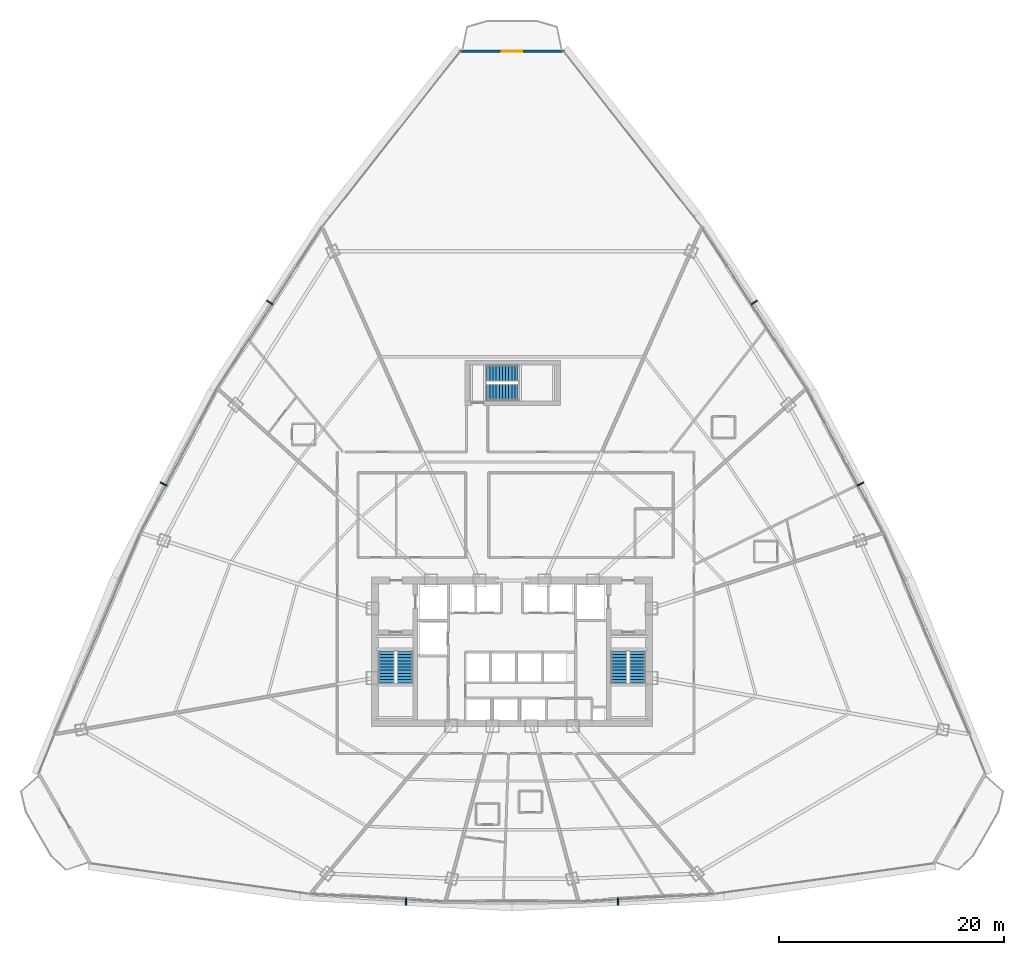
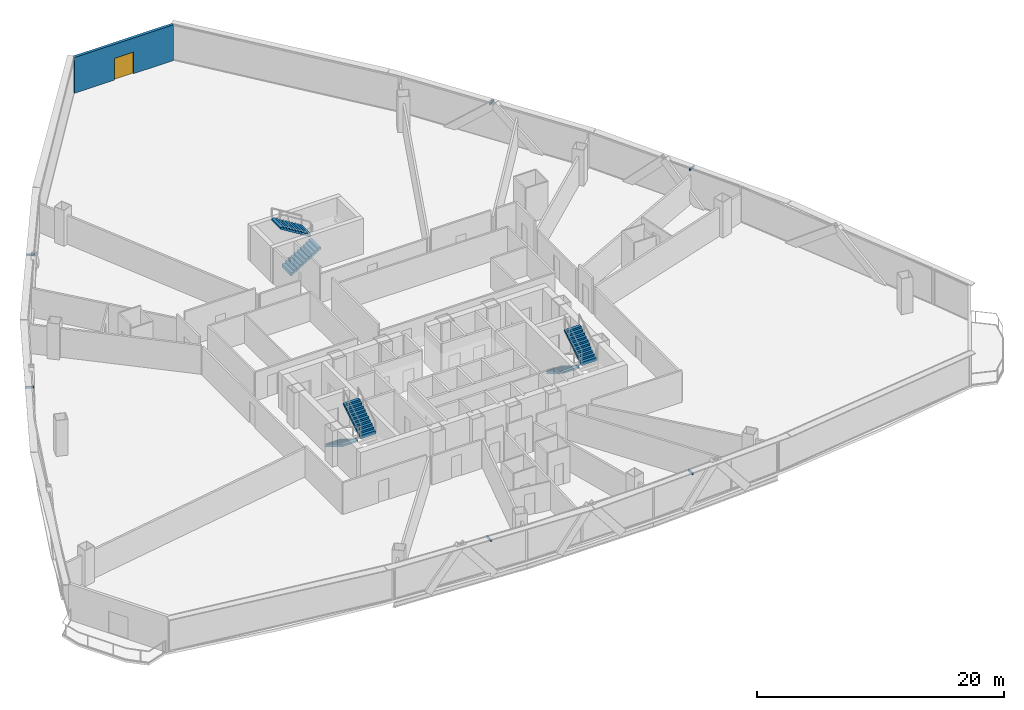
# One storey, part 33 of 37: 6 discrete accessories, 6 stair flights, 1 door, 1 wall, 1 opening, 3 elements without a shape of their own.
"""IFC4 building model written with IfcOpenShell, lengths in metres."""

import ifcopenshell
import ifcopenshell.guid

model = None  # the IFC model being written
_history = None  # IfcOwnerHistory: only IFC2X3 demands one
_inside = {}  # id of a spatial element -> (the spatial element, [elements in it])
_under = {}  # id of a project, library or spatial element -> (it, [spatial elements below it])
_declared = {}  # id of a project -> (the project, [libraries it declares])
_typed = {}  # id of a type object -> (the type object, [elements of that type])
_made_of = {}  # id of a material, layer set ... -> (it, [elements and type objects made of it])


def new_model(schema):
    """Start an empty IFC model of exactly this schema.

    Asked for "IFC4X3", IfcOpenShell would pick the latest addendum, in which some entities
    have other attributes; the version numbers below select the first issue.
    IFC2X3 requires an IfcOwnerHistory on every rooted entity: one is made here for all.
    """
    global model, _history
    if schema == "IFC4X3":
        model = ifcopenshell.file(schema_version=(4, 3, 0, 0))
    else:
        model = ifcopenshell.file(schema=schema)
    _inside.clear()
    _under.clear()
    _declared.clear()
    _typed.clear()
    _made_of.clear()
    _history = None
    if model.schema == "IFC2X3":
        org = make("IfcOrganization", Name="unknown")
        user = make(
            "IfcPersonAndOrganization",
            ThePerson=make("IfcPerson", FamilyName="unknown"),
            TheOrganization=org,
        )
        app = make(
            "IfcApplication",
            ApplicationDeveloper=org,
            Version="unknown",
            ApplicationFullName="unknown",
            ApplicationIdentifier="unknown",
        )
        _history = make(
            "IfcOwnerHistory",
            OwningUser=user,
            OwningApplication=app,
            ChangeAction="ADDED",
            CreationDate=0,
        )
    return model


def make(cls, **values):
    """One entity of the class cls with the attributes given. An attribute that is None is left unset."""
    return model.create_entity(
        cls, **{name: value for name, value in values.items() if value is not None}
    )


def rooted(cls, **values):
    """An entity with a GlobalId (a new one), such as an element, a storey or a relation."""
    return make(cls, GlobalId=ifcopenshell.guid.new(), OwnerHistory=_history, **values)


def si_unit(unit_type, name, prefix=None):
    """IfcSIUnit, for example si_unit("LENGTHUNIT", "METRE", prefix="MILLI")."""
    return make("IfcSIUnit", UnitType=unit_type, Prefix=prefix, Name=name)


def assignment(units):
    """IfcUnitAssignment: the units of a project."""
    return None if units is None else make("IfcUnitAssignment", Units=units)


def point(xyz):
    """IfcCartesianPoint."""
    return None if xyz is None else make("IfcCartesianPoint", Coordinates=xyz)


def direction(xyz):
    """IfcDirection."""
    return None if xyz is None else make("IfcDirection", DirectionRatios=xyz)


def frame(location, z_axis=None, x_axis=None):
    """IfcAxis2Placement3D, a coordinate frame: its origin and axes. An axis left out is left unset."""
    return make(
        "IfcAxis2Placement3D",
        Location=point(location),
        Axis=direction(z_axis),
        RefDirection=direction(x_axis),
    )


def frame_2d(location, x_axis=None):
    """IfcAxis2Placement2D, a coordinate frame in the plane: its origin and x axis."""
    return make(
        "IfcAxis2Placement2D", Location=point(location), RefDirection=direction(x_axis)
    )


def origin():
    """The frame at (0, 0, 0) with its axes left unset."""
    return frame((0.0, 0.0, 0.0))


def origin_with_axes():
    """The frame at (0, 0, 0) with the z axis (0, 0, 1) and the x axis (1, 0, 0) written out."""
    return frame((0.0, 0.0, 0.0), z_axis=(0.0, 0.0, 1.0), x_axis=(1.0, 0.0, 0.0))


def origin_2d():
    """The frame at (0, 0) in the plane with its x axis left unset."""
    return frame_2d((0.0, 0.0))


def place(relative_to, where):
    """IfcLocalPlacement: puts the frame where relative to a parent placement (None: the world)."""
    return make(
        "IfcLocalPlacement", PlacementRelTo=relative_to, RelativePlacement=where
    )


def context(
    kind, dimensions, precision=None, world=None, true_north=None, identifier=None
):
    """IfcGeometricRepresentationContext, for example the 3D "Model" context."""
    return make(
        "IfcGeometricRepresentationContext",
        ContextIdentifier=identifier,
        ContextType=kind,
        CoordinateSpaceDimension=dimensions,
        Precision=precision,
        WorldCoordinateSystem=world,
        TrueNorth=true_north,
    )


def subcontext(parent, identifier, kind, view, scale=None):
    """IfcGeometricRepresentationSubContext, for example "Body" below "Model"."""
    return make(
        "IfcGeometricRepresentationSubContext",
        ContextIdentifier=identifier,
        ContextType=kind,
        ParentContext=parent,
        TargetScale=scale,
        TargetView=view,
    )


def project(units=None, contexts=None):
    """IfcProject with its units and contexts."""
    return rooted(
        "IfcProject",
        Name="project",
        RepresentationContexts=contexts,
        UnitsInContext=assignment(units),
    )


def spatial(cls, under=None, at=None, **own):
    """A site, building, storey or space (cls), placed at a placement, below another one or the project."""
    s = rooted(cls, ObjectPlacement=at, **own)
    if under is not None:
        _under.setdefault(under.id(), (under, []))[1].append(s)
    return s


def polyline(points):
    """IfcPolyline through the points."""
    return make("IfcPolyline", Points=[point(p) for p in points])


def profile(cls, at=None, kind="AREA", **sizes):
    """A parametric profile (cls). Its sizes go by their IFC names, for example OverallWidth=200.0."""
    return make(cls, ProfileType=kind, Position=at, **sizes)


def rectangle(**sizes):
    """IfcRectangleProfileDef."""
    return profile("IfcRectangleProfileDef", **sizes)


def outline(outer, holes=None, kind="AREA"):
    """IfcArbitraryClosedProfileDef: a profile drawn as a closed curve; with holes, ...WithVoids."""
    if holes is None:
        return make("IfcArbitraryClosedProfileDef", ProfileType=kind, OuterCurve=outer)
    return make(
        "IfcArbitraryProfileDefWithVoids",
        ProfileType=kind,
        OuterCurve=outer,
        InnerCurves=holes,
    )


def extrude(swept, where, along, depth):
    """IfcExtrudedAreaSolid: the profile swept, set in the frame where, extruded along a direction by depth."""
    return make(
        "IfcExtrudedAreaSolid",
        SweptArea=swept,
        Position=where,
        ExtrudedDirection=direction(along),
        Depth=depth,
    )


def shape(context_of_items, identifier, shape_type, items):
    """IfcShapeRepresentation: the items that make up one representation, for example the "Body"."""
    return make(
        "IfcShapeRepresentation",
        ContextOfItems=context_of_items,
        RepresentationIdentifier=identifier,
        RepresentationType=shape_type,
        Items=items,
    )


def source(mapping_origin, context_of_items, identifier, shape_type, items):
    """IfcRepresentationMap: a shape defined once, which mapped items show again and again."""
    return make(
        "IfcRepresentationMap",
        MappingOrigin=mapping_origin,
        MappedRepresentation=shape(context_of_items, identifier, shape_type, items),
    )


def transform(
    local_origin,
    x_axis=None,
    y_axis=None,
    z_axis=None,
    scale=None,
    scale2=None,
    scale3=None,
    uniform=True,
):
    """IfcCartesianTransformationOperator3D, or its non-uniform kind. x_axis, y_axis, z_axis: its Axis1, 2, 3."""
    if uniform:
        return make(
            "IfcCartesianTransformationOperator3D",
            Axis1=direction(x_axis),
            Axis2=direction(y_axis),
            LocalOrigin=point(local_origin),
            Scale=scale,
            Axis3=direction(z_axis),
        )
    return make(
        "IfcCartesianTransformationOperator3DnonUniform",
        Axis1=direction(x_axis),
        Axis2=direction(y_axis),
        LocalOrigin=point(local_origin),
        Scale=scale,
        Axis3=direction(z_axis),
        Scale2=scale2,
        Scale3=scale3,
    )


def mapped(mapping_source, mapping_target):
    """IfcMappedItem: shows the shape of a source again, moved by a transform."""
    return make(
        "IfcMappedItem", MappingSource=mapping_source, MappingTarget=mapping_target
    )


def material(Name=None, Category=None):
    """IfcMaterial."""
    return make("IfcMaterial", Name=Name, Category=Category)


def layer(
    of_material, thickness, ventilated=None, Name=None, Category=None, Priority=None
):
    """IfcMaterialLayer: one layer of a wall or slab, of a material (None: an air gap)."""
    return make(
        "IfcMaterialLayer",
        Material=of_material,
        LayerThickness=thickness,
        IsVentilated=ventilated,
        Name=Name,
        Category=Category,
        Priority=Priority,
    )


def layer_set(layers, Name=None):
    """IfcMaterialLayerSet."""
    return make("IfcMaterialLayerSet", MaterialLayers=layers, LayerSetName=Name)


def made_of(thing, what):
    """Note that an element or type object is made of a material, layer set ...; save() writes the relation."""
    if what is not None:
        _made_of.setdefault(what.id(), (what, []))[1].append(thing)
    return thing


def type_object(cls, material=None, **own):
    """A type object (cls), such as IfcWallType, which elements share."""
    return made_of(rooted(cls, **own), material)


def element(
    cls,
    number,
    at=None,
    inside=None,
    cuts=None,
    type_object=None,
    material=None,
    context=None,
    identifier="Body",
    shape_type=None,
    held_by="IfcProductDefinitionShape",
    body=None,
    shapes=None,
    **own,
):
    """One element of the class cls, such as IfcWall. Its Tag is "e" and its number.

    at: its placement. inside: the storey or other place that contains it. cuts: it is an
    opening in that element (IfcRelVoidsElement). A single representation is given by context,
    identifier, shape_type and body (its items); several are given by shapes. held_by: the class
    of the entity that holds the representations. save() writes the other relations.
    """
    e = rooted(cls, Tag="e%d" % number, ObjectPlacement=at, **own)
    if body is not None:
        shapes = [shape(context, identifier, shape_type, body)]
    if shapes is not None:
        e.Representation = make(held_by, Representations=shapes)
    if inside is not None:
        _inside.setdefault(inside.id(), (inside, []))[1].append(e)
    if cuts is not None:
        rooted(
            "IfcRelVoidsElement", RelatingBuildingElement=cuts, RelatedOpeningElement=e
        )
    if type_object is not None:
        _typed.setdefault(type_object.id(), (type_object, []))[1].append(e)
    return made_of(e, material)


def fill(opening, filler):
    """IfcRelFillsElement: the door or window that sits in an opening."""
    return rooted(
        "IfcRelFillsElement",
        RelatingOpeningElement=opening,
        RelatedBuildingElement=filler,
    )


def aggregate(whole, parts):
    """IfcRelAggregates: a whole, such as a stair, and the parts it consists of."""
    return rooted("IfcRelAggregates", RelatingObject=whole, RelatedObjects=parts)


def save(model, path):
    """Write the relations noted so far, then the file.

    IfcRelAggregates (storeys below a building ...), IfcRelContainedInSpatialStructure (elements
    in a storey), IfcRelDefinesByType, IfcRelAssociatesMaterial and IfcRelDeclares: one each for
    every whole, place, type object, material and project.
    """
    for whole, parts in _under.values():
        aggregate(whole, parts)
    for where, things in _inside.values():
        rooted(
            "IfcRelContainedInSpatialStructure",
            RelatedElements=things,
            RelatingStructure=where,
        )
    for kind, things in _typed.values():
        rooted("IfcRelDefinesByType", RelatedObjects=things, RelatingType=kind)
    for what, things in _made_of.values():
        rooted("IfcRelAssociatesMaterial", RelatedObjects=things, RelatingMaterial=what)
    for by, libraries in _declared.values():
        rooted("IfcRelDeclares", RelatingContext=by, RelatedDefinitions=libraries)
    model.write(path)


model = new_model("IFC4")

# Units and contexts
model_context = context("Model", 3, precision=1e-05, world=origin(), true_north=direction((0.0, 1.0)))
body_context = subcontext(model_context, "Body", "Model", "MODEL_VIEW")
ifc_project = project(units=[si_unit("LENGTHUNIT", "METRE"), si_unit("AREAUNIT", "SQUARE_METRE"), si_unit("VOLUMEUNIT", "CUBIC_METRE"), si_unit("PLANEANGLEUNIT", "RADIAN"), si_unit("MASSUNIT", "GRAM", prefix="KILO"), si_unit("THERMODYNAMICTEMPERATUREUNIT", "KELVIN"), si_unit("POWERUNIT", "WATT")], contexts=[model_context])

# Site, building, storey
site_placement = place(None, origin())
site = spatial("IfcSite", under=ifc_project, at=site_placement, CompositionType="ELEMENT")
building_placement = place(site_placement, origin())
building = spatial("IfcBuilding", under=site, at=building_placement, Name="Yunzhuo Pagoda Commons", CompositionType="ELEMENT")
storey_placement = place(building_placement, frame((0.0, 0.0, 84.97998046875)))
storey = spatial("IfcBuildingStorey", under=building, at=storey_placement, Name="L21", CompositionType="ELEMENT", Elevation=84.97998046875)

# Wall, opening, door
ifc_material_1 = material(Name="Precast concrete C40", Category="concrete")
ifc_layer = layer(ifc_material_1, 0.260009765625)
ifc_layer_set = layer_set([ifc_layer], Name="Precast concrete C40")
wall_type = type_object("IfcWallType", Name="W-BAL1 Corner Balcony Threshold Wall 260", PredefinedType="STANDARD", material=ifc_layer_set)
wall_placement = place(storey_placement, frame((52.652587890625, 87.320068359375, 0.0), z_axis=(0.0, 0.0, 1.0), x_axis=(-1.0, 0.0, 0.0)))
wall = element("IfcWall", 1, at=wall_placement, inside=storey, type_object=wall_type, Name="L21 corner balcony wall V3", PredefinedType="STANDARD", context=body_context, shape_type="SweptSolid", body=[
    extrude(rectangle(XDim=9.30517578125, YDim=0.260009765625, at=frame_2d((4.652587890625, 0.0))), origin(), (0.0, 0.0, 1.0), 3.5400390625),
])
opening_placement = place(wall_placement, frame((3.752685546875, 0.0, 0.0)))
opening = element("IfcOpeningElement", 2, at=opening_placement, cuts=wall, Name="Opening D-BAL1", PredefinedType="OPENING", context=body_context, shape_type="SweptSolid", body=[
    extrude(rectangle(XDim=1.800048828125, YDim=2.14990234375, at=frame_2d((0.89990234375, 1.074951171875))), frame((0.0, 0.14013671875, 0.0), z_axis=(0.0, -1.0, 0.0), x_axis=(1.0, 0.0, 0.0)), (0.0, 0.0, 1.0), 0.280029296875),
])
ifc_material_2 = material(Name="Anodized aluminium frame and tempered glazed leaf", Category="aluminium")
door_type = type_object("IfcDoorType", Name="D-BAL1 Corner Balcony Sliding Glazed Door 1800x2150", OperationType="DOUBLE_DOOR_SLIDING", PredefinedType="DOOR", material=ifc_material_2)
shared_shape_1 = source(origin(), body_context, "Body", "SweptSolid", [
    extrude(rectangle(XDim=1.800048828125, YDim=2.14990234375, at=frame_2d((0.89990234375, 1.074951171875))), frame((0.0, 0.02490234375, 0.0), z_axis=(0.0, -1.0, 0.0), x_axis=(1.0, 0.0, 0.0)), (0.0, 0.0, 1.0), 0.050048828125),
])
door_placement = place(opening_placement, origin_with_axes())
door = element("IfcDoor", 3, at=door_placement, inside=storey, type_object=door_type, Name="L21 corner balcony sliding door V3", OperationType="DOUBLE_DOOR_SLIDING", OverallHeight=2.14990234375, OverallWidth=1.800048828125, PredefinedType="DOOR", context=body_context, shape_type="MappedRepresentation", body=[
    mapped(shared_shape_1, transform((0.0, 0.0, 0.0), scale=1.0)),
])
fill(opening, door)

# Stair, stair flights
ifc_material_3 = material(Name="Concrete C40", Category="concrete")
stair_type_1 = type_object("IfcStairType", Name="ST-C1 Core Smokeproof Stair ST1", PredefinedType="HALF_TURN_STAIR", material=ifc_material_3)
stair_1_placement = place(storey_placement, origin())
stair_1 = element("IfcStair", 4, at=stair_1_placement, inside=storey, type_object=stair_type_1, Name="L21 Core smokeproof stair ST1", PredefinedType="HALF_TURN_STAIR")
stair_flight_type_1 = type_object("IfcStairFlightType", Name="STF-C1 Core Stair Flight 1450", PredefinedType="STRAIGHT", material=ifc_material_3)
shared_shape_2 = source(origin(), body_context, "Body", "SweptSolid", [
    extrude(outline(polyline([(0.0, -0.14990234375), (0.0, 0.0), (0.0, 0.172607421875), (0.280029296875, 0.172607421875), (0.280029296875, 0.345458984375), (0.56005859375, 0.345458984375), (0.56005859375, 0.51806640625), (0.840087890625, 0.51806640625), (0.840087890625, 0.69091796875), (1.1201171875, 0.69091796875), (1.1201171875, 0.863525390625), (1.39990234375, 0.863525390625), (1.39990234375, 1.036376953125), (1.679931640625, 1.036376953125), (1.679931640625, 1.208984375), (1.9599609375, 1.208984375), (1.9599609375, 1.3818359375), (2.239990234375, 1.3818359375), (2.239990234375, 1.554443359375), (2.52001953125, 1.554443359375), (2.52001953125, 1.727294921875), (2.800048828125, 1.727294921875), (2.800048828125, 1.89990234375), (2.800048828125, 1.551025390625), (0.285400390625, 0.0), (0.050048828125, -0.14990234375), (0.0, -0.14990234375)])), frame((0.0, 0.72509765625, 0.0), z_axis=(0.0, -1.0, 0.0), x_axis=(1.0, 0.0, 0.0)), (0.0, 0.0, 1.0), 1.449951171875),
])
stair_flight_1_placement = place(storey_placement, frame((36.824951171875, 33.89990234375, 0.0), z_axis=(0.0, 0.0, 1.0), x_axis=(0.0, -1.0, 0.0)))
stair_flight_1 = element("IfcStairFlight", 5, at=stair_flight_1_placement, type_object=stair_flight_type_1, Name="ST1 flight 1", NumberOfRisers=11, NumberOfTreads=10, PredefinedType="STRAIGHT", RiserHeight=0.172727273, TreadLength=0.28, context=body_context, shape_type="MappedRepresentation", body=[
    mapped(shared_shape_2, transform((0.0, 0.0, 0.0), scale=1.0)),
])
stair_flight_2_placement = place(storey_placement, frame((38.47509765625, 31.10009765625, 1.89990234375), z_axis=(0.0, 0.0, 1.0), x_axis=(0.0, 1.0, 0.0)))
stair_flight_2 = element("IfcStairFlight", 6, at=stair_flight_2_placement, type_object=stair_flight_type_1, Name="ST1 flight 2", NumberOfRisers=11, NumberOfTreads=10, PredefinedType="STRAIGHT", RiserHeight=0.172727273, TreadLength=0.28, context=body_context, shape_type="MappedRepresentation", body=[
    mapped(shared_shape_2, transform((0.0, 0.0, 0.0), scale=1.0)),
])
aggregate(stair_1, [stair_flight_1, stair_flight_2])

stair_type_2 = type_object("IfcStairType", Name="ST-C2 Core Smokeproof Stair ST2", PredefinedType="HALF_TURN_STAIR", material=ifc_material_3)
stair_2_placement = place(storey_placement, origin())
stair_2 = element("IfcStair", 7, at=stair_2_placement, inside=storey, type_object=stair_type_2, Name="L21 Core smokeproof stair ST2", PredefinedType="HALF_TURN_STAIR")
stair_flight_type_2 = type_object("IfcStairFlightType", Name="STF-C2 Core Stair Flight 1460", PredefinedType="STRAIGHT", material=ifc_material_3)
stair_flight_3_placement = place(storey_placement, frame((57.52490234375, 33.89990234375, 0.0), z_axis=(0.0, 0.0, 1.0), x_axis=(0.0, -1.0, 0.0)))
stair_flight_3 = element("IfcStairFlight", 8, at=stair_flight_3_placement, type_object=stair_flight_type_2, Name="ST2 flight 1", NumberOfRisers=11, NumberOfTreads=10, PredefinedType="STRAIGHT", RiserHeight=0.172727273, TreadLength=0.28, context=body_context, shape_type="MappedRepresentation", body=[
    mapped(shared_shape_2, transform((0.0, 0.0, 0.0), scale=1.0)),
])
stair_flight_4_placement = place(storey_placement, frame((59.175048828125, 31.10009765625, 1.89990234375), z_axis=(0.0, 0.0, 1.0), x_axis=(0.0, 1.0, 0.0)))
stair_flight_4 = element("IfcStairFlight", 9, at=stair_flight_4_placement, type_object=stair_flight_type_2, Name="ST2 flight 2", NumberOfRisers=11, NumberOfTreads=10, PredefinedType="STRAIGHT", RiserHeight=0.172727273, TreadLength=0.28, context=body_context, shape_type="MappedRepresentation", body=[
    mapped(shared_shape_2, transform((0.0, 0.0, 0.0), scale=1.0)),
])
aggregate(stair_2, [stair_flight_3, stair_flight_4])

stair_type_3 = type_object("IfcStairType", Name="ST-C3 North Tower Smokeproof Stair ST3", PredefinedType="HALF_TURN_STAIR", material=ifc_material_3)
stair_3_placement = place(storey_placement, origin())
stair_3 = element("IfcStair", 10, at=stair_3_placement, inside=storey, type_object=stair_type_3, Name="L21 North tower smokeproof stair ST3", PredefinedType="HALF_TURN_STAIR")
stair_flight_type_3 = type_object("IfcStairFlightType", Name="STF-C3 North Stair Flight 1500", PredefinedType="STRAIGHT", material=ifc_material_3)
shared_shape_3 = source(origin(), body_context, "Body", "SweptSolid", [
    extrude(outline(polyline([(0.0, -0.14990234375), (0.0, 0.0), (0.0, 0.172607421875), (0.280029296875, 0.172607421875), (0.280029296875, 0.345458984375), (0.56005859375, 0.345458984375), (0.56005859375, 0.51806640625), (0.840087890625, 0.51806640625), (0.840087890625, 0.69091796875), (1.1201171875, 0.69091796875), (1.1201171875, 0.863525390625), (1.39990234375, 0.863525390625), (1.39990234375, 1.036376953125), (1.679931640625, 1.036376953125), (1.679931640625, 1.208984375), (1.9599609375, 1.208984375), (1.9599609375, 1.3818359375), (2.239990234375, 1.3818359375), (2.239990234375, 1.554443359375), (2.52001953125, 1.554443359375), (2.52001953125, 1.727294921875), (2.800048828125, 1.727294921875), (2.800048828125, 1.89990234375), (2.800048828125, 1.551025390625), (0.285400390625, 0.0), (0.050048828125, -0.14990234375), (0.0, -0.14990234375)])), frame((0.0, 0.75, 0.0), z_axis=(0.0, -1.0, 0.0), x_axis=(1.0, 0.0, 0.0)), (0.0, 0.0, 1.0), 1.5),
])
stair_flight_5_placement = place(storey_placement, frame((45.75, 56.949951171875, 0.0), z_axis=(0.0, 0.0, 1.0), x_axis=(1.0, 0.0, 0.0)))
stair_flight_5 = element("IfcStairFlight", 11, at=stair_flight_5_placement, type_object=stair_flight_type_3, Name="ST3 flight 1", NumberOfRisers=11, NumberOfTreads=10, PredefinedType="STRAIGHT", RiserHeight=0.172727273, TreadLength=0.28, context=body_context, shape_type="MappedRepresentation", body=[
    mapped(shared_shape_3, transform((0.0, 0.0, 0.0), scale=1.0)),
])
stair_flight_6_placement = place(storey_placement, frame((48.550048828125, 58.64990234375, 1.89990234375), z_axis=(0.0, 0.0, 1.0), x_axis=(-1.0, 0.0, 0.0)))
stair_flight_6 = element("IfcStairFlight", 12, at=stair_flight_6_placement, type_object=stair_flight_type_3, Name="ST3 flight 2", NumberOfRisers=11, NumberOfTreads=10, PredefinedType="STRAIGHT", RiserHeight=0.172727273, TreadLength=0.28, context=body_context, shape_type="MappedRepresentation", body=[
    mapped(shared_shape_3, transform((0.0, 0.0, 0.0), scale=1.0)),
])
aggregate(stair_3, [stair_flight_5, stair_flight_6])

# Discrete accessories
ifc_material_4 = material(Name="Anodized aluminium 6063-T6", Category="aluminium")
discrete_accessory_type = type_object("IfcDiscreteAccessoryType", Name="BK-SUN1 Sunshade Outrigger Bracket", PredefinedType="BRACKET", material=ifc_material_4)
shared_shape_4 = source(origin(), body_context, "Body", "SweptSolid", [
    extrude(rectangle(XDim=0.1201171875, YDim=0.679931640625, at=origin_2d()), origin(), (0.0, 0.0, 1.0), 0.179931640625),
])
for number, where, z_axis, x_axis, name in (
    (13, (38.56591796875, 11.61865234375, 3.330078125), (0.0, 0.0, 1.0), (0.998818043775, -0.04860571396, 0.0), "L21 sunshade outrigger bracket F1.2"),
    (14, (57.43408203125, 11.61865234375, 3.330078125), (0.0, 0.0, 1.0), (0.998818043775, 0.04860571396, 0.0), "L21 sunshade outrigger bracket F1.3"),
    (15, (79.01318359375, 48.79833984375, 3.330078125), (0.0, 0.0, 1.0), (-0.461206683033, 0.88729273384, 0.0), "L21 sunshade outrigger bracket F2.2"),
    (16, (69.5791015625, 64.960205078125, 3.330078125), (0.0, 0.0, 1.0), (-0.545838756973, 0.837890238269, 0.0), "L21 sunshade outrigger bracket F2.3"),
    (17, (26.4208984375, 64.960205078125, 3.330078125), (0.0, 0.0, 1.0), (-0.545838756973, -0.837890238269, 0.0), "L21 sunshade outrigger bracket F3.2"),
    (18, (16.98681640625, 48.79833984375, 3.330078125), (0.0, 0.0, 1.0), (-0.461206683033, -0.88729273384, 0.0), "L21 sunshade outrigger bracket F3.3"),
):
    element("IfcDiscreteAccessory", number, at=place(storey_placement, frame(where, z_axis=z_axis, x_axis=x_axis)), inside=storey, type_object=discrete_accessory_type, Name=name, PredefinedType="BRACKET", context=body_context, shape_type="MappedRepresentation", body=[
        mapped(shared_shape_4, transform((0.0, 0.0, 0.0), scale=1.0)),
    ])

save(model, "model.ifc")
